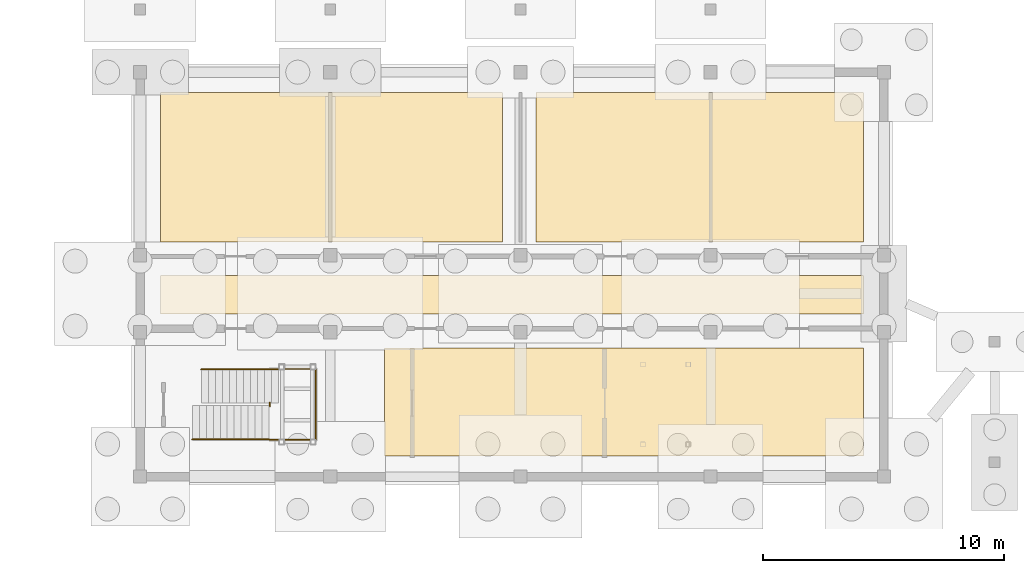
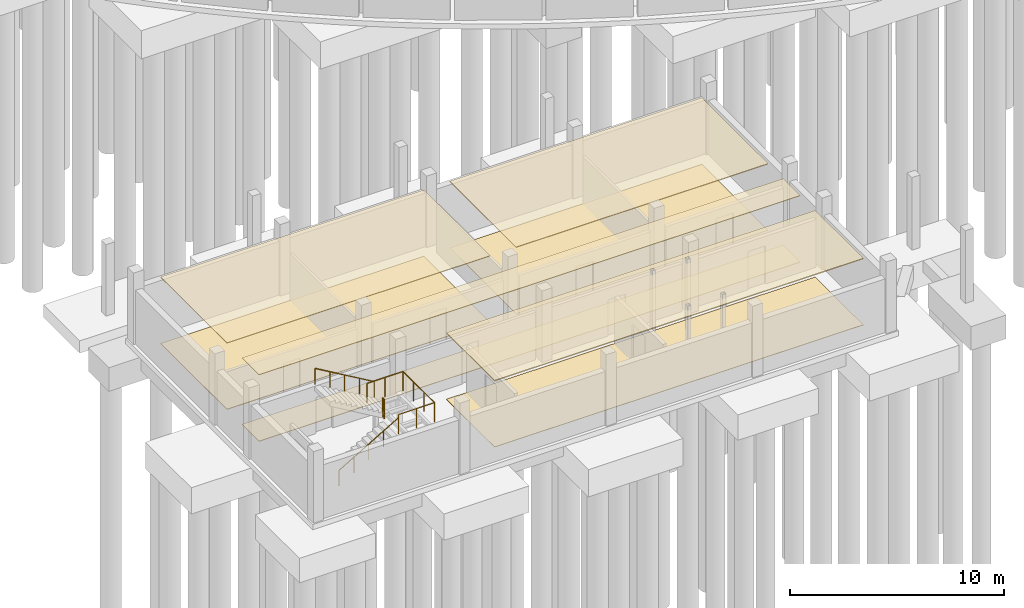
# One storey, part 48 of 58: 8 coverings, 4 railings.
"""IFC4 building model written with IfcOpenShell, lengths in metres."""

from ifc_helpers import new_model, si_unit, direction, frame, origin, origin_2d, place, context, subcontext, project, spatial, polyline, circle, outline, extrude, material, layer, layer_set, type_object, element, save


model = new_model("IFC4")

# Units and contexts
model_context = context("Model", 3, precision=1e-05, world=origin(), true_north=direction((0.0, 1.0)))
body_context = subcontext(model_context, "Body", "Model", "MODEL_VIEW")
ifc_project = project(units=[si_unit("LENGTHUNIT", "METRE"), si_unit("AREAUNIT", "SQUARE_METRE"), si_unit("VOLUMEUNIT", "CUBIC_METRE"), si_unit("PLANEANGLEUNIT", "RADIAN"), si_unit("MASSUNIT", "GRAM", prefix="KILO")], contexts=[model_context])

# Site, building, storey
site_placement = place(None, origin())
site = spatial("IfcSite", under=ifc_project, at=site_placement, CompositionType="ELEMENT")
building_placement = place(site_placement, origin())
building = spatial("IfcBuilding", under=site, at=building_placement, Name="Caldaven Crescent School", CompositionType="ELEMENT")
storey_placement = place(building_placement, frame((0.0, 0.0, -4.080078125)))
storey = spatial("IfcBuildingStorey", under=building, at=storey_placement, Name="B1", CompositionType="ELEMENT", Elevation=-4.080078125)

# Coverings
ifc_material_1 = material(Name="Perforated Pino Radiata acoustic timber baffle ceiling", Category="wood")
ifc_layer_1 = layer(ifc_material_1, 0.030029296875)
ifc_layer_set_1 = layer_set([ifc_layer_1], Name="Perforated Pino Radiata acoustic timber baffle ceiling")
covering_type_1 = type_object("IfcCoveringType", Name="COV-CLG1", PredefinedType="CEILING", material=ifc_layer_set_1)
covering_1_placement = place(storey_placement, frame((0.0, 0.0, 3.7900390625)))
element("IfcCovering", 1, at=covering_1_placement, inside=storey, type_object=covering_type_1, Name="CLG-B1-040", PredefinedType="CEILING", context=body_context, shape_type="SweptSolid", body=[
    extrude(outline(polyline([(55.550048828125, 12.550048828125), (55.550048828125, 10.949951171875), (26.35009765625, 10.949951171875), (26.35009765625, 12.550048828125), (55.550048828125, 12.550048828125)])), origin(), (0.0, 0.0, 1.0), 0.030029296875),
])
ifc_layer_2 = layer(ifc_material_1, 0.0380859375)
ifc_layer_set_2 = layer_set([ifc_layer_2], Name="Perforated Pino Radiata acoustic timber baffle ceiling")
covering_type_2 = type_object("IfcCoveringType", Name="COV-CLG2", PredefinedType="CEILING", material=ifc_layer_set_2)
covering_2_placement = place(storey_placement, frame((0.0, 0.0, 3.781982421875)))
element("IfcCovering", 2, at=covering_2_placement, inside=storey, type_object=covering_type_2, Name="CLG-B1-041", PredefinedType="CEILING", context=body_context, shape_type="SweptSolid", body=[
    extrude(outline(polyline([(40.550048828125, 20.14990234375), (40.550048828125, 13.949951171875), (26.35009765625, 13.949951171875), (26.35009765625, 20.14990234375), (40.550048828125, 20.14990234375)])), origin(), (0.0, 0.0, 1.0), 0.0380859375),
])
ifc_layer_3 = layer(ifc_material_1, 0.0458984375)
ifc_layer_set_3 = layer_set([ifc_layer_3], Name="Perforated Pino Radiata acoustic timber baffle ceiling")
covering_type_3 = type_object("IfcCoveringType", Name="COV-CLG3", PredefinedType="CEILING", material=ifc_layer_set_3)
covering_3_placement = place(storey_placement, frame((0.0, 0.0, 3.774169921875)))
element("IfcCovering", 3, at=covering_3_placement, inside=storey, type_object=covering_type_3, Name="CLG-B1-042", PredefinedType="CEILING", context=body_context, shape_type="SweptSolid", body=[
    extrude(outline(polyline([(55.550048828125, 20.14990234375), (55.550048828125, 13.949951171875), (41.949951171875, 13.949951171875), (41.949951171875, 20.14990234375), (55.550048828125, 20.14990234375)])), origin(), (0.0, 0.0, 1.0), 0.0458984375),
])
ifc_layer_4 = layer(ifc_material_1, 0.053955078125)
ifc_layer_set_4 = layer_set([ifc_layer_4], Name="Perforated Pino Radiata acoustic timber baffle ceiling")
covering_type_4 = type_object("IfcCoveringType", Name="COV-CLG4", PredefinedType="CEILING", material=ifc_layer_set_4)
covering_4_placement = place(storey_placement, frame((0.0, 0.0, 3.76611328125)))
element("IfcCovering", 4, at=covering_4_placement, inside=storey, type_object=covering_type_4, Name="CLG-B1-039", PredefinedType="CEILING", context=body_context, shape_type="SweptSolid", body=[
    extrude(outline(polyline([(55.550048828125, 9.550048828125), (55.550048828125, 5.050048828125), (35.64990234375, 5.050048828125), (35.64990234375, 9.550048828125), (55.550048828125, 9.550048828125)])), origin(), (0.0, 0.0, 1.0), 0.053955078125),
])
ifc_material_2 = material(Name="Polished terrazzo and acoustic linoleum flooring")
ifc_layer_5 = layer(ifc_material_2, 0.02001953125)
ifc_layer_set_5 = layer_set([ifc_layer_5], Name="Polished terrazzo and acoustic linoleum flooring")
covering_type_5 = type_object("IfcCoveringType", Name="COV-FLR1", PredefinedType="FLOORING", material=ifc_layer_set_5)
covering_5_placement = place(storey_placement, origin())
element("IfcCovering", 5, at=covering_5_placement, inside=storey, type_object=covering_type_5, Name="FLR-B1-039", PredefinedType="FLOORING", context=body_context, shape_type="SweptSolid", body=[
    extrude(outline(polyline([(35.64990234375, 9.550048828125), (55.550048828125, 9.550048828125), (55.550048828125, 5.050048828125), (35.64990234375, 5.050048828125), (35.64990234375, 9.550048828125)])), origin(), (0.0, 0.0, 1.0), 0.02001953125),
])
covering_6_placement = place(storey_placement, origin())
element("IfcCovering", 6, at=covering_6_placement, inside=storey, type_object=covering_type_5, Name="FLR-B1-042", PredefinedType="FLOORING", context=body_context, shape_type="SweptSolid", body=[
    extrude(outline(polyline([(41.949951171875, 20.14990234375), (55.550048828125, 20.14990234375), (55.550048828125, 13.949951171875), (41.949951171875, 13.949951171875), (41.949951171875, 20.14990234375)])), origin(), (0.0, 0.0, 1.0), 0.02001953125),
])
ifc_layer_6 = layer(ifc_material_2, 0.02587890625)
ifc_layer_set_6 = layer_set([ifc_layer_6], Name="Polished terrazzo and acoustic linoleum flooring")
covering_type_6 = type_object("IfcCoveringType", Name="COV-FLR2", PredefinedType="FLOORING", material=ifc_layer_set_6)
covering_7_placement = place(storey_placement, origin())
element("IfcCovering", 7, at=covering_7_placement, inside=storey, type_object=covering_type_6, Name="FLR-B1-040", PredefinedType="FLOORING", context=body_context, shape_type="SweptSolid", body=[
    extrude(outline(polyline([(26.35009765625, 12.550048828125), (55.550048828125, 12.550048828125), (55.550048828125, 10.949951171875), (26.35009765625, 10.949951171875), (26.35009765625, 12.550048828125)])), origin(), (0.0, 0.0, 1.0), 0.026123046875),
])
ifc_layer_7 = layer(ifc_material_2, 0.031982421875)
ifc_layer_set_7 = layer_set([ifc_layer_7], Name="Polished terrazzo and acoustic linoleum flooring")
covering_type_7 = type_object("IfcCoveringType", Name="COV-FLR3", PredefinedType="FLOORING", material=ifc_layer_set_7)
covering_8_placement = place(storey_placement, origin())
element("IfcCovering", 8, at=covering_8_placement, inside=storey, type_object=covering_type_7, Name="FLR-B1-041", PredefinedType="FLOORING", context=body_context, shape_type="SweptSolid", body=[
    extrude(outline(polyline([(26.35009765625, 20.14990234375), (40.550048828125, 20.14990234375), (40.550048828125, 13.949951171875), (26.35009765625, 13.949951171875), (26.35009765625, 20.14990234375)])), origin(), (0.0, 0.0, 1.0), 0.031982421875),
])

# Railings
ifc_material_3 = material(Name="Brushed stainless-steel continuous tubular handrail", Category="steel")
railing_type_1 = type_object("IfcRailingType", Name="RAL-HR3", PredefinedType="HANDRAIL", material=ifc_material_3)
railing_1_placement = place(storey_placement, frame((27.669921875, 5.7451171875, 0.173095703125)))
element("IfcRailing", 9, at=railing_1_placement, inside=storey, type_object=railing_type_1, Name="HR-STB2-B1-F1", PredefinedType="HANDRAIL", context=body_context, shape_type="SweptSolid", body=[
    extrude(circle(Radius=0.02392578125, at=origin_2d()), frame((0.0, 0.0, 0.89599609375), z_axis=(0.862725780356, 0.0, 0.505672055693), x_axis=(0.0, 1.0, 0.0)), (0.0, 0.0, 1.0), 3.69775390625),
    extrude(circle(Radius=0.02099609375, at=origin_2d()), origin(), (0.0, 0.0, 1.0), 0.871826171875),
    extrude(circle(Radius=0.02099609375, at=origin_2d()), frame((0.797607421875, 0.0, 0.467529296875)), (0.0, 0.0, 1.0), 0.871826171875),
    extrude(circle(Radius=0.02099609375, at=origin_2d()), frame((1.59521484375, 0.0, 0.93505859375)), (0.0, 0.0, 1.0), 0.871826171875),
    extrude(circle(Radius=0.02099609375, at=origin_2d()), frame((2.392578125, 0.0, 1.40234375)), (0.0, 0.0, 1.0), 0.871826171875),
    extrude(circle(Radius=0.02099609375, at=origin_2d()), frame((3.190185546875, 0.0, 1.869873046875)), (0.0, 0.0, 1.0), 0.871826171875),
])
railing_2_placement = place(storey_placement, frame((31.239990234375, 8.655029296875, 2.213134765625)))
element("IfcRailing", 10, at=railing_2_placement, inside=storey, type_object=railing_type_1, Name="HR-STB2-B1-F2", PredefinedType="HANDRAIL", context=body_context, shape_type="SweptSolid", body=[
    extrude(circle(Radius=0.02392578125, at=origin_2d()), frame((0.0, 0.0, 0.89599609375), z_axis=(-0.86270889649, 0.0, 0.505700860111), x_axis=(0.0, -1.0, 0.0)), (0.0, 0.0, 1.0), 3.697509765625),
    extrude(circle(Radius=0.02099609375, at=origin_2d()), origin(), (0.0, 0.0, 1.0), 0.871826171875),
    extrude(circle(Radius=0.02099609375, at=origin_2d()), frame((-0.79736328125, 0.0, 0.467529296875)), (0.0, 0.0, 1.0), 0.871826171875),
    extrude(circle(Radius=0.02099609375, at=origin_2d()), frame((-1.594970703125, 0.0, 0.93505859375)), (0.0, 0.0, 1.0), 0.871826171875),
    extrude(circle(Radius=0.02099609375, at=origin_2d()), frame((-2.392578125, 0.0, 1.40234375)), (0.0, 0.0, 1.0), 0.871826171875),
    extrude(circle(Radius=0.02099609375, at=origin_2d()), frame((-3.18994140625, 0.0, 1.869873046875)), (0.0, 0.0, 1.0), 0.871826171875),
])
ifc_material_4 = material(Name="Powder-coated tubular steel balustrade ASTM A572 Grade 50", Category="steel")
railing_type_2 = type_object("IfcRailingType", Name="RAL-INT2", PredefinedType="BALUSTRADE", material=ifc_material_4)
railing_3_placement = place(storey_placement, frame((30.860107421875, 5.72998046875, 2.0400390625)))
element("IfcRailing", 11, at=railing_3_placement, inside=storey, type_object=railing_type_2, Name="GD-LND-STB2-B1", PredefinedType="BALUSTRADE", context=body_context, shape_type="SweptSolid", body=[
    extrude(circle(Radius=0.02392578125, at=origin_2d()), frame((0.0, 0.0, 1.09619140625), z_axis=(1.0, 0.0, 0.0), x_axis=(0.0, 1.0, 0.0)), (0.0, 0.0, 1.0), 1.93994140625),
    extrude(circle(Radius=0.02392578125, at=origin_2d()), frame((1.93994140625, 0.0, 1.09619140625), z_axis=(0.0, 1.0, 0.0), x_axis=(-1.0, 0.0, 0.0)), (0.0, 0.0, 1.0), 2.93994140625),
    extrude(circle(Radius=0.02392578125, at=origin_2d()), frame((1.93994140625, 2.93994140625, 1.09619140625), z_axis=(-1.0, 0.0, 0.0), x_axis=(0.0, -1.0, 0.0)), (0.0, 0.0, 1.0), 1.93994140625),
    extrude(circle(Radius=0.02099609375, at=origin_2d()), origin(), (0.0, 0.0, 1.0), 1.072021484375),
    extrude(circle(Radius=0.02099609375, at=origin_2d()), frame((0.969970703125, 0.0, 0.0)), (0.0, 0.0, 1.0), 1.072021484375),
    extrude(circle(Radius=0.02099609375, at=origin_2d()), frame((1.93994140625, 0.0, 0.0)), (0.0, 0.0, 1.0), 1.072021484375),
    extrude(circle(Radius=0.02099609375, at=origin_2d()), frame((1.93994140625, 0.97998046875, 0.0)), (0.0, 0.0, 1.0), 1.072021484375),
    extrude(circle(Radius=0.02099609375, at=origin_2d()), frame((1.93994140625, 1.9599609375, 0.0)), (0.0, 0.0, 1.0), 1.072021484375),
    extrude(circle(Radius=0.02099609375, at=origin_2d()), frame((1.93994140625, 2.93994140625, 0.0)), (0.0, 0.0, 1.0), 1.072021484375),
    extrude(circle(Radius=0.02099609375, at=origin_2d()), frame((0.969970703125, 2.93994140625, 0.0)), (0.0, 0.0, 1.0), 1.072021484375),
    extrude(circle(Radius=0.02099609375, at=origin_2d()), frame((0.0, 2.93994140625, 0.0)), (0.0, 0.0, 1.0), 1.072021484375),
])
railing_4_placement = place(storey_placement, frame((30.889892578125, 7.1298828125, 2.0400390625)))
element("IfcRailing", 12, at=railing_4_placement, inside=storey, type_object=railing_type_2, Name="GD-SLT-STB2-B1", PredefinedType="BALUSTRADE", context=body_context, shape_type="SweptSolid", body=[
    extrude(circle(Radius=0.02392578125, at=origin_2d()), frame((0.0, 0.0, 1.09619140625), z_axis=(0.0, 1.0, 0.0), x_axis=(-1.0, 0.0, 0.0)), (0.0, 0.0, 1.0), 0.14013671875),
    extrude(circle(Radius=0.02099609375, at=origin_2d()), origin(), (0.0, 0.0, 1.0), 1.072021484375),
    extrude(circle(Radius=0.02099609375, at=origin_2d()), frame((0.0, 0.14013671875, 0.0)), (0.0, 0.0, 1.0), 1.072021484375),
])

save(model, "model.ifc")
